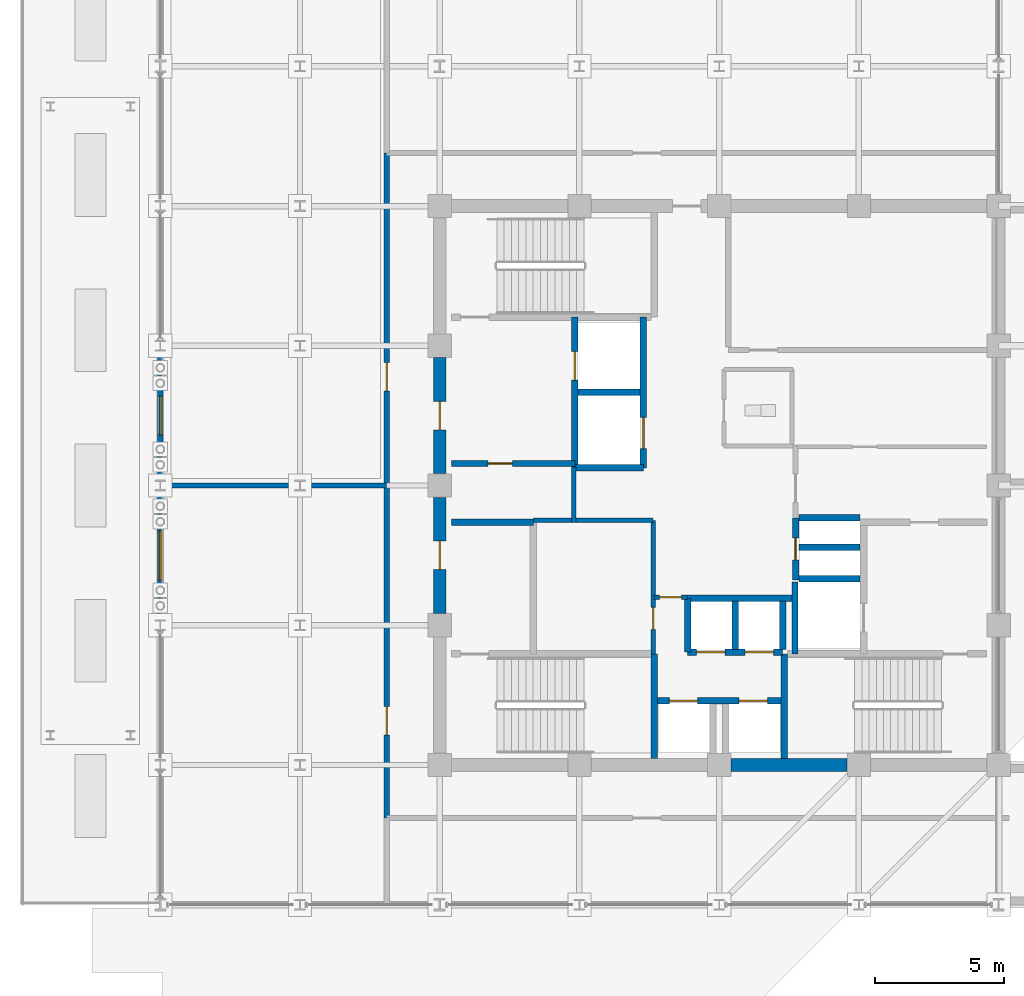
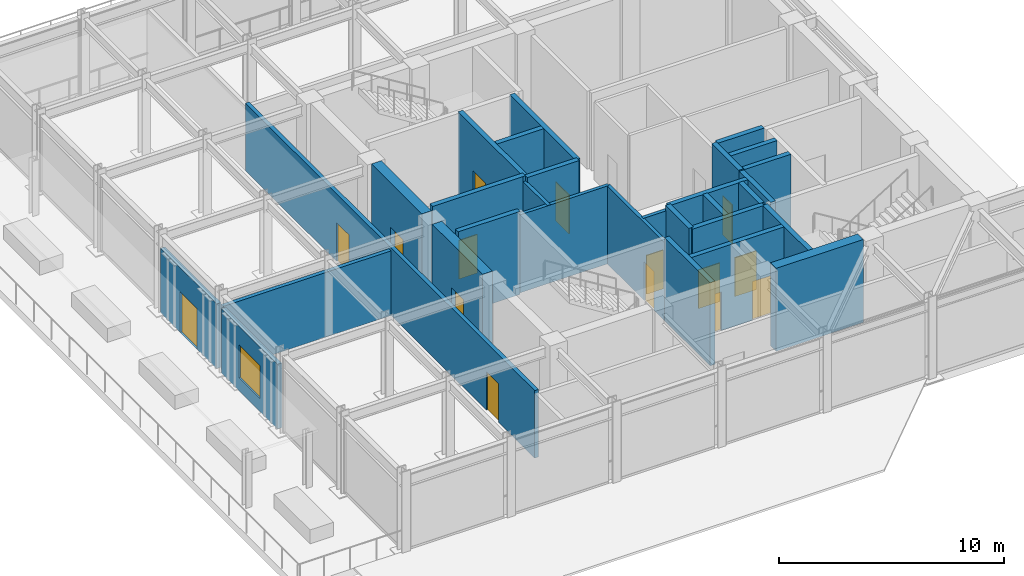
# One storey, part 14 of 22: 30 walls, 15 doors, 1 window, 16 openings.
"""IFC4 building model written with IfcOpenShell, lengths in metres."""

from ifc_helpers import new_model, si_unit, direction, frame, frame_2d, origin, place, context, subcontext, project, spatial, rectangle, extrude, material, layer, layer_set, type_object, element, fill, save


model = new_model("IFC4")

# Units and contexts
model_context = context("Model", 3, precision=1e-05, world=origin(), true_north=direction((0.0, 1.0)))
body_context = subcontext(model_context, "Body", "Model", "MODEL_VIEW")
ifc_project = project(units=[si_unit("LENGTHUNIT", "METRE"), si_unit("AREAUNIT", "SQUARE_METRE"), si_unit("VOLUMEUNIT", "CUBIC_METRE"), si_unit("PLANEANGLEUNIT", "RADIAN"), si_unit("MASSUNIT", "GRAM", prefix="KILO")], contexts=[model_context])

# Site, building, storey
site_placement = place(None, origin())
site = spatial("IfcSite", under=ifc_project, at=site_placement, CompositionType="ELEMENT")
building_placement = place(site_placement, origin())
building = spatial("IfcBuilding", under=site, at=building_placement, Name="Surkhivell Harbour Commons", CompositionType="ELEMENT")
storey_placement = place(building_placement, frame((0.0, 0.0, 337.5)))
storey = spatial("IfcBuildingStorey", under=building, at=storey_placement, Name="L88", CompositionType="ELEMENT", Elevation=337.5)

# Wall, opening, door
ifc_material_1 = material(Name="Concrete C50/60", Category="concrete")
ifc_layer_1 = layer(ifc_material_1, 0.5)
ifc_layer_set_1 = layer_set([ifc_layer_1], Name="Concrete C50/60")
wall_type_1 = type_object("IfcWallType", Name="WAL-CORE-500", PredefinedType="SHEAR", material=ifc_layer_set_1)
wall_1_placement = place(storey_placement, frame((-10.800048828125, -4.93994140625, 0.0), z_axis=(0.0, 0.0, 1.0), x_axis=(0.0, 1.0, 0.0)))
wall_1 = element("IfcWall", 1, at=wall_1_placement, inside=storey, type_object=wall_type_1, Name="L88 Core Shear Wall West 2", PredefinedType="SHEAR", context=body_context, shape_type="SweptSolid", body=[
    extrude(rectangle(XDim=4.47998046875, YDim=0.5, at=frame_2d((2.239990234375, 0.0))), origin(), (0.0, 0.0, 1.0), 4.5),
])
opening_1_placement = place(wall_1_placement, frame((1.68994140625, 0.0, 0.0)))
opening_1 = element("IfcOpeningElement", 2, at=opening_1_placement, cuts=wall_1, Name="Opening ID-2", PredefinedType="OPENING", context=body_context, shape_type="SweptSolid", body=[
    extrude(rectangle(XDim=1.10009765625, YDim=2.10009765625, at=frame_2d((0.550048828125, 1.050048828125))), frame((0.0, 0.260009765625, 0.0), z_axis=(0.0, -1.0, 0.0), x_axis=(1.0, 0.0, 0.0)), (0.0, 0.0, 1.0), 0.52001953125),
])
ifc_material_2 = material(Name="Hardwood-veneered fire-rated door leaf", Category="wood")
door_type_1 = type_object("IfcDoorType", Name="DOR-FD60-1100", OperationType="NOTDEFINED", PredefinedType="DOOR", material=ifc_material_2)
door_1_placement = place(opening_1_placement, origin())
door_1 = element("IfcDoor", 3, at=door_1_placement, inside=storey, type_object=door_type_1, Name="L88 Stair 3 Lobby Corridor Door", OperationType="SINGLE_SWING_LEFT", OverallHeight=2.10009765625, OverallWidth=1.10009765625, PredefinedType="DOOR", context=body_context, shape_type="SweptSolid", body=[
    extrude(rectangle(XDim=1.10009765625, YDim=2.10009765625, at=frame_2d((0.550048828125, 1.050048828125))), frame((0.0, 0.02490234375, 0.0), z_axis=(0.0, -1.0, 0.0), x_axis=(1.0, 0.0, 0.0)), (0.0, 0.0, 1.0), 0.050048828125),
])
fill(opening_1, door_1)

# Wall
wall_2_placement = place(storey_placement, frame((0.4599609375, -10.800048828125, 0.0), z_axis=(0.0, 0.0, 1.0), x_axis=(1.0, 0.0, 0.0)))
element("IfcWall", 4, at=wall_2_placement, inside=storey, type_object=wall_type_1, Name="L88 Core Shear Wall South 3", PredefinedType="SHEAR", context=body_context, shape_type="SweptSolid", body=[
    extrude(rectangle(XDim=4.47998046875, YDim=0.5, at=frame_2d((2.239990234375, 0.0))), origin(), (0.0, 0.0, 1.0), 4.5),
])

# Wall, opening, door
wall_3_placement = place(storey_placement, frame((-10.800048828125, 0.4599609375, 0.0), z_axis=(0.0, 0.0, 1.0), x_axis=(0.0, 1.0, 0.0)))
wall_3 = element("IfcWall", 5, at=wall_3_placement, inside=storey, type_object=wall_type_1, Name="L88 Core Shear Wall West 3", PredefinedType="SHEAR", context=body_context, shape_type="SweptSolid", body=[
    extrude(rectangle(XDim=4.47998046875, YDim=0.5, at=frame_2d((2.239990234375, 0.0))), origin(), (0.0, 0.0, 1.0), 4.5),
])
opening_2_placement = place(wall_3_placement, frame((1.68994140625, 0.0, 0.0)))
opening_2 = element("IfcOpeningElement", 6, at=opening_2_placement, cuts=wall_3, Name="Opening ID-1", PredefinedType="OPENING", context=body_context, shape_type="SweptSolid", body=[
    extrude(rectangle(XDim=1.10009765625, YDim=2.10009765625, at=frame_2d((0.550048828125, 1.050048828125))), frame((0.0, 0.260009765625, 0.0), z_axis=(0.0, -1.0, 0.0), x_axis=(1.0, 0.0, 0.0)), (0.0, 0.0, 1.0), 0.52001953125),
])
door_type_2 = type_object("IfcDoorType", Name="DOR-FD120-1100", OperationType="NOTDEFINED", PredefinedType="DOOR", material=ifc_material_2)
door_2_placement = place(opening_2_placement, origin())
door_2 = element("IfcDoor", 7, at=door_2_placement, inside=storey, type_object=door_type_2, Name="L88 Firefighting Lobby 1 Corridor Door", OperationType="SINGLE_SWING_LEFT", OverallHeight=2.10009765625, OverallWidth=1.10009765625, PredefinedType="DOOR", context=body_context, shape_type="SweptSolid", body=[
    extrude(rectangle(XDim=1.10009765625, YDim=2.10009765625, at=frame_2d((0.550048828125, 1.050048828125))), frame((0.0, 0.02490234375, 0.0), z_axis=(0.0, -1.0, 0.0), x_axis=(1.0, 0.0, 0.0)), (0.0, 0.0, 1.0), 0.050048828125),
])
fill(opening_2, door_2)

ifc_material_3 = material(Name="Conservatory pale-metal insulated concrete C45/55", Category="concrete")
ifc_layer_2 = layer(ifc_material_3, 0.22509765625)
ifc_layer_set_2 = layer_set([ifc_layer_2], Name="Conservatory pale-metal insulated concrete C45/55")
wall_type_2 = type_object("IfcWallType", Name="WAL-EXT-CRN225", PredefinedType="STANDARD", material=ifc_layer_set_2)
wall_4_placement = place(storey_placement, frame((-21.60009765625, 0.2080078125, 0.0), z_axis=(0.0, 0.0, 1.0), x_axis=(0.0, 1.0, 0.0)))
wall_4 = element("IfcWall", 8, at=wall_4_placement, inside=storey, type_object=wall_type_2, Name="L88 Sky-Garden Terrace Access Wall 1", PredefinedType="STANDARD", context=body_context, shape_type="SweptSolid", body=[
    extrude(rectangle(XDim=4.98388671875, YDim=0.22509765625, at=frame_2d((2.491943359375, 0.0))), origin(), (0.0, 0.0, 1.0), 3.507080078125),
])
opening_3_placement = place(wall_4_placement, frame((1.741943359375, 0.0, 0.0)))
opening_3 = element("IfcOpeningElement", 9, at=opening_3_placement, cuts=wall_4, Name="Opening ED-4", PredefinedType="OPENING", context=body_context, shape_type="SweptSolid", body=[
    extrude(rectangle(XDim=1.5, YDim=2.199951171875, at=frame_2d((0.75, 1.10009765625))), frame((0.0, 0.12255859375, 0.0), z_axis=(0.0, -1.0, 0.0), x_axis=(1.0, 0.0, 0.0)), (0.0, 0.0, 1.0), 0.2451171875),
])
ifc_material_4 = material(Name="Anodised pale-metal aluminium and laminated safety glass", Category="aluminium")
door_type_3 = type_object("IfcDoorType", Name="DOR-EXT-TERR1500", OperationType="DOUBLE_DOOR_SINGLE_SWING", PredefinedType="DOOR", material=ifc_material_4)
door_3_placement = place(opening_3_placement, origin())
door_3 = element("IfcDoor", 10, at=door_3_placement, inside=storey, type_object=door_type_3, Name="L88 Crown Sky-Garden Terrace Door 1", OperationType="DOUBLE_DOOR_SINGLE_SWING", OverallHeight=2.199951171875, OverallWidth=1.5, PredefinedType="DOOR", context=body_context, shape_type="SweptSolid", body=[
    extrude(rectangle(XDim=1.5, YDim=2.199951171875, at=frame_2d((0.75, 1.10009765625))), frame((0.0, 0.02490234375, 0.0), z_axis=(0.0, -1.0, 0.0), x_axis=(1.0, 0.0, 0.0)), (0.0, 0.0, 1.0), 0.050048828125),
])
fill(opening_3, door_3)

# Wall, opening, window
wall_5_placement = place(storey_placement, frame((-21.60009765625, -5.19189453125, 0.0), z_axis=(0.0, 0.0, 1.0), x_axis=(0.0, 1.0, 0.0)))
wall_5 = element("IfcWall", 11, at=wall_5_placement, inside=storey, type_object=wall_type_2, Name="L88 Sky-Garden Terrace Access Wall 2", PredefinedType="STANDARD", context=body_context, shape_type="SweptSolid", body=[
    extrude(rectangle(XDim=4.98388671875, YDim=0.22509765625, at=frame_2d((2.491943359375, 0.0))), origin(), (0.0, 0.0, 1.0), 3.507080078125),
])
opening_4_placement = place(wall_5_placement, frame((1.5419921875, 0.0, 0.699951171875)))
opening_4 = element("IfcOpeningElement", 12, at=opening_4_placement, cuts=wall_5, Name="Opening WN-12", PredefinedType="OPENING", context=body_context, shape_type="SweptSolid", body=[
    extrude(rectangle(XDim=1.89990234375, YDim=1.800048828125, at=frame_2d((0.949951171875, 0.89990234375))), frame((0.0, 0.12255859375, 0.0), z_axis=(0.0, -1.0, 0.0), x_axis=(1.0, 0.0, 0.0)), (0.0, 0.0, 1.0), 0.2451171875),
])
ifc_material_5 = material(Name="Thermal-break aluminium frame and double low-E glazing", Category="aluminium")
window_type = type_object("IfcWindowType", Name="WIN-CRN-1900x1800", PartitioningType="DOUBLE_PANEL_VERTICAL", PredefinedType="WINDOW", material=ifc_material_5)
window_placement = place(opening_4_placement, origin())
window = element("IfcWindow", 13, at=window_placement, inside=storey, type_object=window_type, Name="L88 Conservatory West Window", OverallHeight=1.800048828125, OverallWidth=1.89990234375, PartitioningType="SINGLE_PANEL", PredefinedType="WINDOW", context=body_context, shape_type="SweptSolid", body=[
    extrude(rectangle(XDim=1.89990234375, YDim=1.800048828125, at=frame_2d((0.949951171875, 0.89990234375))), frame((0.0, 0.030029296875, 0.0), z_axis=(0.0, -1.0, 0.0), x_axis=(1.0, 0.0, 0.0)), (0.0, 0.0, 1.0), 0.06005859375),
])
fill(opening_4, window)

# Wall, opening, door
ifc_material_6 = material(Name="High-density acoustic blockwork fire partition", Category="masonry")
ifc_layer_3 = layer(ifc_material_6, 0.175048828125)
ifc_layer_set_3 = layer_set([ifc_layer_3], Name="High-density acoustic blockwork fire partition")
wall_type_3 = type_object("IfcWallType", Name="WAL-INT-175", PredefinedType="PARTITIONING", material=ifc_layer_set_3)
wall_6_placement = place(storey_placement, frame((-2.550048828125, -6.510009765625, 0.0), z_axis=(0.0, 0.0, 1.0), x_axis=(0.0, 1.0, 0.0)))
wall_6 = element("IfcWall", 14, at=wall_6_placement, inside=storey, type_object=wall_type_3, Name="L88 Core Service Bay East Wall", PredefinedType="PARTITIONING", context=body_context, shape_type="SweptSolid", body=[
    extrude(rectangle(XDim=5.159912109375, YDim=0.175048828125, at=frame_2d((2.580078125, 0.0))), origin(), (0.0, 0.0, 1.0), 4.219970703125),
])
opening_5_placement = place(wall_6_placement, frame((0.949951171875, 0.0, 0.0)))
opening_5 = element("IfcOpeningElement", 15, at=opening_5_placement, cuts=wall_6, Name="Opening ID-6", PredefinedType="OPENING", context=body_context, shape_type="SweptSolid", body=[
    extrude(rectangle(XDim=0.85009765625, YDim=2.10009765625, at=frame_2d((0.425048828125, 1.050048828125))), frame((0.0, 0.097412109375, 0.0), z_axis=(0.0, -1.0, 0.0), x_axis=(1.0, 0.0, 0.0)), (0.0, 0.0, 1.0), 0.195068359375),
])
door_type_4 = type_object("IfcDoorType", Name="DOR-FD30-850", OperationType="NOTDEFINED", PredefinedType="DOOR", material=ifc_material_2)
door_4_placement = place(opening_5_placement, origin())
door_4 = element("IfcDoor", 16, at=door_4_placement, inside=storey, type_object=door_type_4, Name="L88 Core Metering Door", OperationType="SINGLE_SWING_LEFT", OverallHeight=2.10009765625, OverallWidth=0.85009765625, PredefinedType="DOOR", context=body_context, shape_type="SweptSolid", body=[
    extrude(rectangle(XDim=0.85009765625, YDim=2.10009765625, at=frame_2d((0.425048828125, 1.050048828125))), frame((0.0, 0.02490234375, 0.0), z_axis=(0.0, -1.0, 0.0), x_axis=(1.0, 0.0, 0.0)), (0.0, 0.0, 1.0), 0.050048828125),
])
fill(opening_5, door_4)

# Walls
wall_7_placement = place(storey_placement, frame((-7.179931640625, -1.35009765625, 0.0), z_axis=(0.0, 0.0, 1.0), x_axis=(1.0, 0.0, 0.0)))
element("IfcWall", 17, at=wall_7_placement, inside=storey, type_object=wall_type_3, Name="L88 Core Service Bay North Wall", PredefinedType="PARTITIONING", context=body_context, shape_type="SweptSolid", body=[
    extrude(rectangle(XDim=4.6298828125, YDim=0.175048828125, at=frame_2d((2.31494140625, 0.0))), origin(), (0.0, 0.0, 1.0), 4.219970703125),
])
wall_8_placement = place(storey_placement, frame((-5.6201171875, -1.419921875, 0.0), z_axis=(0.0, 0.0, 1.0), x_axis=(0.0, 1.0, 0.0)))
element("IfcWall", 18, at=wall_8_placement, inside=storey, type_object=wall_type_3, Name="L88 West Core Bay East Wall", PredefinedType="PARTITIONING", context=body_context, shape_type="SweptSolid", body=[
    extrude(rectangle(XDim=2.139892578125, YDim=0.175048828125, at=frame_2d((1.06982421875, 0.0))), origin(), (0.0, 0.0, 1.0), 4.219970703125),
])

# Wall, opening, door
wall_9_placement = place(storey_placement, frame((-2.52001953125, -4.320068359375, 0.0), z_axis=(0.0, 0.0, 1.0), x_axis=(1.0, 0.0, 0.0)))
wall_9 = element("IfcWall", 19, at=wall_9_placement, inside=storey, type_object=wall_type_3, Name="L88 High-Rise Lobby North Portal Wall", PredefinedType="PARTITIONING", context=body_context, shape_type="SweptSolid", body=[
    extrude(rectangle(XDim=1.300048828125, YDim=0.175048828125, at=frame_2d((0.64990234375, 0.0))), origin(), (0.0, 0.0, 1.0), 4.219970703125),
])
opening_6_placement = place(wall_9_placement, frame((0.219970703125, 0.0, 0.0)))
opening_6 = element("IfcOpeningElement", 20, at=opening_6_placement, cuts=wall_9, Name="Opening ID-6", PredefinedType="OPENING", context=body_context, shape_type="SweptSolid", body=[
    extrude(rectangle(XDim=0.85009765625, YDim=2.10009765625, at=frame_2d((0.425048828125, 1.050048828125))), frame((0.0, 0.097412109375, 0.0), z_axis=(0.0, -1.0, 0.0), x_axis=(1.0, 0.0, 0.0)), (0.0, 0.0, 1.0), 0.195068359375),
])
door_5_placement = place(opening_6_placement, origin())
door_5 = element("IfcDoor", 21, at=door_5_placement, inside=storey, type_object=door_type_4, Name="L88 High-Rise Lift Lobby North Door", OperationType="SINGLE_SWING_LEFT", OverallHeight=2.10009765625, OverallWidth=0.85009765625, PredefinedType="DOOR", context=body_context, shape_type="SweptSolid", body=[
    extrude(rectangle(XDim=0.85009765625, YDim=2.10009765625, at=frame_2d((0.425048828125, 1.050048828125))), frame((0.0, 0.02490234375, 0.0), z_axis=(0.0, -1.0, 0.0), x_axis=(1.0, 0.0, 0.0)), (0.0, 0.0, 1.0), 0.050048828125),
])
fill(opening_6, door_5)

# Wall
ifc_material_7 = material(Name="Autoclaved aerated concrete blockwork and fire plaster", Category="masonry")
ifc_layer_4 = layer(ifc_material_7, 0.199951171875)
ifc_layer_set_4 = layer_set([ifc_layer_4], Name="Autoclaved aerated concrete blockwork and fire plaster")
wall_type_4 = type_object("IfcWallType", Name="WAL-INT-200", PredefinedType="PARTITIONING", material=ifc_layer_set_4)
wall_10_placement = place(storey_placement, frame((-21.56005859375, 0.0, 0.0), z_axis=(0.0, 0.0, 1.0), x_axis=(1.0, 0.0, 0.0)))
element("IfcWall", 22, at=wall_10_placement, inside=storey, type_object=wall_type_4, Name="L88 Conservatory West Divider", PredefinedType="PARTITIONING", context=body_context, shape_type="SweptSolid", body=[
    extrude(rectangle(XDim=8.7099609375, YDim=0.199951171875, at=frame_2d((4.35498046875, 0.0))), origin(), (0.0, 0.0, 1.0), 3.507080078125),
])

# Wall, openings, doors
wall_11_placement = place(storey_placement, frame((-12.85009765625, -12.85009765625, 0.0), z_axis=(0.0, 0.0, 1.0), x_axis=(0.0, 1.0, 0.0)))
wall_11 = element("IfcWall", 23, at=wall_11_placement, inside=storey, type_object=wall_type_4, Name="L88 Crown Corridor West Wall", PredefinedType="PARTITIONING", context=body_context, shape_type="SweptSolid", body=[
    extrude(rectangle(XDim=25.7001953125, YDim=0.199951171875, at=frame_2d((12.85009765625, 0.0))), origin(), (0.0, 0.0, 1.0), 3.6630859375),
])
opening_7_placement = place(wall_11_placement, frame((16.5, 0.0, 0.0)))
opening_7 = element("IfcOpeningElement", 24, at=opening_7_placement, cuts=wall_11, Name="Opening ID-2", PredefinedType="OPENING", context=body_context, shape_type="SweptSolid", body=[
    extrude(rectangle(XDim=1.10009765625, YDim=2.10009765625, at=frame_2d((0.550048828125, 1.050048828125))), frame((0.0, 0.10986328125, 0.0), z_axis=(0.0, -1.0, 0.0), x_axis=(1.0, 0.0, 0.0)), (0.0, 0.0, 1.0), 0.219970703125),
])
opening_8_placement = place(wall_11_placement, frame((3.199951171875, 0.0, 0.0)))
opening_8 = element("IfcOpeningElement", 25, at=opening_8_placement, cuts=wall_11, Name="Opening ID-2", PredefinedType="OPENING", context=body_context, shape_type="SweptSolid", body=[
    extrude(rectangle(XDim=1.10009765625, YDim=2.10009765625, at=frame_2d((0.550048828125, 1.050048828125))), frame((0.0, 0.10986328125, 0.0), z_axis=(0.0, -1.0, 0.0), x_axis=(1.0, 0.0, 0.0)), (0.0, 0.0, 1.0), 0.219970703125),
])
door_6_placement = place(opening_7_placement, origin())
door_6 = element("IfcDoor", 26, at=door_6_placement, inside=storey, type_object=door_type_1, Name="L88 Sky-Garden Tea Pavilion and Conservatory Door", OperationType="SINGLE_SWING_RIGHT", OverallHeight=2.10009765625, OverallWidth=1.10009765625, PredefinedType="DOOR", context=body_context, shape_type="SweptSolid", body=[
    extrude(rectangle(XDim=1.10009765625, YDim=2.10009765625, at=frame_2d((0.550048828125, 1.050048828125))), frame((0.0, 0.02490234375, 0.0), z_axis=(0.0, -1.0, 0.0), x_axis=(1.0, 0.0, 0.0)), (0.0, 0.0, 1.0), 0.050048828125),
])
fill(opening_7, door_6)
door_7_placement = place(opening_8_placement, origin())
door_7 = element("IfcDoor", 27, at=door_7_placement, inside=storey, type_object=door_type_1, Name="L88 Crown Irrigation and Booster Pump Plant Room Door", OperationType="SINGLE_SWING_LEFT", OverallHeight=2.10009765625, OverallWidth=1.10009765625, PredefinedType="DOOR", context=body_context, shape_type="SweptSolid", body=[
    extrude(rectangle(XDim=1.10009765625, YDim=2.10009765625, at=frame_2d((0.550048828125, 1.050048828125))), frame((0.0, 0.02490234375, 0.0), z_axis=(0.0, -1.0, 0.0), x_axis=(1.0, 0.0, 0.0)), (0.0, 0.0, 1.0), 0.050048828125),
])
fill(opening_8, door_7)

# Wall, opening, door
ifc_layer_5 = layer(ifc_material_1, 0.25)
ifc_layer_set_5 = layer_set([ifc_layer_5], Name="Concrete C50/60")
wall_type_5 = type_object("IfcWallType", Name="WAL-SHAFT-250", PredefinedType="SHEAR", material=ifc_layer_set_5)
wall_12_placement = place(storey_placement, frame((-5.580078125, 0.719970703125, 0.0), z_axis=(0.0, 0.0, 1.0), x_axis=(0.0, 1.0, 0.0)))
wall_12 = element("IfcWall", 28, at=wall_12_placement, inside=storey, type_object=wall_type_5, Name="L88 Firefighting Lobby 1 East Shaft Wall", PredefinedType="SHEAR", context=body_context, shape_type="SweptSolid", body=[
    extrude(rectangle(XDim=5.7900390625, YDim=0.25, at=frame_2d((2.89501953125, 0.0))), origin(), (0.0, 0.0, 1.0), 4.5),
])
opening_9_placement = place(wall_12_placement, frame((3.35009765625, 0.0, 0.0)))
opening_9 = element("IfcOpeningElement", 29, at=opening_9_placement, cuts=wall_12, Name="Opening LD-1", PredefinedType="OPENING", context=body_context, shape_type="SweptSolid", body=[
    extrude(rectangle(XDim=1.10009765625, YDim=2.10009765625, at=frame_2d((0.550048828125, 1.050048828125))), frame((0.0, 0.135009765625, 0.0), z_axis=(0.0, -1.0, 0.0), x_axis=(1.0, 0.0, 0.0)), (0.0, 0.0, 1.0), 0.27001953125),
])
ifc_material_8 = material(Name="Brushed stainless steel S355", Category="steel")
door_type_5 = type_object("IfcDoorType", Name="DOR-LD-1100", OperationType="SLIDING_TO_LEFT", PredefinedType="DOOR", material=ifc_material_8)
door_8_placement = place(opening_9_placement, origin())
door_8 = element("IfcDoor", 30, at=door_8_placement, inside=storey, type_object=door_type_5, Name="L88 Lift Landing Door LD-FFL1", OperationType="SLIDING_TO_LEFT", OverallHeight=2.10009765625, OverallWidth=1.10009765625, PredefinedType="DOOR", context=body_context, shape_type="SweptSolid", body=[
    extrude(rectangle(XDim=1.10009765625, YDim=2.10009765625, at=frame_2d((0.550048828125, 1.050048828125))), frame((0.0, 0.02490234375, 0.0), z_axis=(0.0, -1.0, 0.0), x_axis=(1.0, 0.0, 0.0)), (0.0, 0.0, 1.0), 0.050048828125),
])
fill(opening_9, door_8)

wall_13_placement = place(storey_placement, frame((-10.340087890625, 0.85009765625, 0.0), z_axis=(0.0, 0.0, 1.0), x_axis=(1.0, 0.0, 0.0)))
wall_13 = element("IfcWall", 31, at=wall_13_placement, inside=storey, type_object=wall_type_5, Name="L88 Firefighting Lobby 1 South Wall", PredefinedType="SHEAR", context=body_context, shape_type="SweptSolid", body=[
    extrude(rectangle(XDim=4.760009765625, YDim=0.25, at=frame_2d((2.3798828125, 0.0))), origin(), (0.0, 0.0, 1.0), 4.5),
])
opening_10_placement = place(wall_13_placement, frame((1.39990234375, 0.0, 0.0)))
opening_10 = element("IfcOpeningElement", 32, at=opening_10_placement, cuts=wall_13, Name="Opening ID-4", PredefinedType="OPENING", context=body_context, shape_type="SweptSolid", body=[
    extrude(rectangle(XDim=0.949951171875, YDim=2.10009765625, at=frame_2d((0.47509765625, 1.050048828125))), frame((0.0, 0.135009765625, 0.0), z_axis=(0.0, -1.0, 0.0), x_axis=(1.0, 0.0, 0.0)), (0.0, 0.0, 1.0), 0.27001953125),
])
door_type_6 = type_object("IfcDoorType", Name="DOR-FD60-950", OperationType="NOTDEFINED", PredefinedType="DOOR", material=ifc_material_2)
door_9_placement = place(opening_10_placement, origin())
door_9 = element("IfcDoor", 33, at=door_9_placement, inside=storey, type_object=door_type_6, Name="L88 Core BMS Room Door", OperationType="SINGLE_SWING_RIGHT", OverallHeight=2.10009765625, OverallWidth=0.949951171875, PredefinedType="DOOR", context=body_context, shape_type="SweptSolid", body=[
    extrude(rectangle(XDim=0.949951171875, YDim=2.10009765625, at=frame_2d((0.47509765625, 1.050048828125))), frame((0.0, 0.02490234375, 0.0), z_axis=(0.0, -1.0, 0.0), x_axis=(1.0, 0.0, 0.0)), (0.0, 0.0, 1.0), 0.050048828125),
])
fill(opening_10, door_9)

# Walls
wall_14_placement = place(storey_placement, frame((2.929931640625, -6.510009765625, 0.0), z_axis=(0.0, 0.0, 1.0), x_axis=(0.0, 1.0, 0.0)))
element("IfcWall", 34, at=wall_14_placement, inside=storey, type_object=wall_type_5, Name="L88 FFL2 West Shaft Wall", PredefinedType="SHEAR", context=body_context, shape_type="SweptSolid", body=[
    extrude(rectangle(XDim=2.7900390625, YDim=0.25, at=frame_2d((1.39501953125, 0.0))), origin(), (0.0, 0.0, 1.0), 4.5),
])
wall_15_placement = place(storey_placement, frame((3.080078125, -3.60009765625, 0.0), z_axis=(0.0, 0.0, 1.0), x_axis=(1.0, 0.0, 0.0)))
element("IfcWall", 35, at=wall_15_placement, inside=storey, type_object=wall_type_5, Name="L88 FFL2 North Shaft Wall", PredefinedType="SHEAR", context=body_context, shape_type="SweptSolid", body=[
    extrude(rectangle(XDim=2.369873046875, YDim=0.25, at=frame_2d((1.18505859375, 0.0))), origin(), (0.0, 0.0, 1.0), 4.5),
])
for number, where, z_axis, x_axis, name in (
    (36, (0.6201171875, -6.340087890625, 0.0), (0.0, 0.0, 1.0), (0.0, 1.0, 0.0), "L88 High-Rise Side Wall N"),
    (37, (2.449951171875, -6.340087890625, 0.0), (0.0, 0.0, 1.0), (0.0, 1.0, 0.0), "L88 High-Rise Side Wall N"),
):
    element("IfcWall", number, at=place(storey_placement, frame(where, z_axis=z_axis, x_axis=x_axis)), inside=storey, type_object=wall_type_5, Name=name, PredefinedType="SHEAR", context=body_context, shape_type="SweptSolid", body=[
        extrude(rectangle(XDim=1.880126953125, YDim=0.25, at=frame_2d((0.93994140625, 0.0))), origin(), (0.0, 0.0, 1.0), 4.5),
    ])
wall_16_placement = place(storey_placement, frame((-1.219970703125, -6.43994140625, 0.0), z_axis=(0.0, 0.0, 1.0), x_axis=(0.0, 1.0, 0.0)))
element("IfcWall", 38, at=wall_16_placement, inside=storey, type_object=wall_type_5, Name="L88 High-Rise Passage East Shaft Wall", PredefinedType="SHEAR", context=body_context, shape_type="SweptSolid", body=[
    extrude(rectangle(XDim=2.079833984375, YDim=0.25, at=frame_2d((1.0400390625, 0.0))), origin(), (0.0, 0.0, 1.0), 4.5),
])

# Wall, openings, doors
wall_17_placement = place(storey_placement, frame((-1.219970703125, -6.43994140625, 0.0), z_axis=(0.0, 0.0, 1.0), x_axis=(1.0, 0.0, 0.0)))
wall_17 = element("IfcWall", 39, at=wall_17_placement, inside=storey, type_object=wall_type_5, Name="L88 High-Rise North Front Shaft Wall", PredefinedType="SHEAR", context=body_context, shape_type="SweptSolid", body=[
    extrude(rectangle(XDim=3.669921875, YDim=0.25, at=frame_2d((1.8349609375, 0.0))), origin(), (0.0, 0.0, 1.0), 4.5),
])
opening_11_placement = place(wall_17_placement, frame((0.35009765625, 0.0, 0.0)))
opening_11 = element("IfcOpeningElement", 40, at=opening_11_placement, cuts=wall_17, Name="Opening LD-1", PredefinedType="OPENING", context=body_context, shape_type="SweptSolid", body=[
    extrude(rectangle(XDim=1.10009765625, YDim=2.10009765625, at=frame_2d((0.550048828125, 1.050048828125))), frame((0.0, 0.135009765625, 0.0), z_axis=(0.0, -1.0, 0.0), x_axis=(1.0, 0.0, 0.0)), (0.0, 0.0, 1.0), 0.27001953125),
])
opening_12_placement = place(wall_17_placement, frame((2.219970703125, 0.0, 0.0)))
opening_12 = element("IfcOpeningElement", 41, at=opening_12_placement, cuts=wall_17, Name="Opening LD-1", PredefinedType="OPENING", context=body_context, shape_type="SweptSolid", body=[
    extrude(rectangle(XDim=1.10009765625, YDim=2.10009765625, at=frame_2d((0.550048828125, 1.050048828125))), frame((0.0, 0.135009765625, 0.0), z_axis=(0.0, -1.0, 0.0), x_axis=(1.0, 0.0, 0.0)), (0.0, 0.0, 1.0), 0.27001953125),
])
door_10_placement = place(opening_11_placement, origin())
door_10 = element("IfcDoor", 42, at=door_10_placement, inside=storey, type_object=door_type_5, Name="L88 Lift Landing Door LD-PH1", OperationType="SLIDING_TO_LEFT", OverallHeight=2.10009765625, OverallWidth=1.10009765625, PredefinedType="DOOR", context=body_context, shape_type="SweptSolid", body=[
    extrude(rectangle(XDim=1.10009765625, YDim=2.10009765625, at=frame_2d((0.550048828125, 1.050048828125))), frame((0.0, 0.02490234375, 0.0), z_axis=(0.0, -1.0, 0.0), x_axis=(1.0, 0.0, 0.0)), (0.0, 0.0, 1.0), 0.050048828125),
])
fill(opening_11, door_10)
door_11_placement = place(opening_12_placement, origin())
door_11 = element("IfcDoor", 43, at=door_11_placement, inside=storey, type_object=door_type_5, Name="L88 Lift Landing Door LD-PH2", OperationType="SLIDING_TO_LEFT", OverallHeight=2.10009765625, OverallWidth=1.10009765625, PredefinedType="DOOR", context=body_context, shape_type="SweptSolid", body=[
    extrude(rectangle(XDim=1.10009765625, YDim=2.10009765625, at=frame_2d((0.550048828125, 1.050048828125))), frame((0.0, 0.02490234375, 0.0), z_axis=(0.0, -1.0, 0.0), x_axis=(1.0, 0.0, 0.0)), (0.0, 0.0, 1.0), 0.050048828125),
])
fill(opening_12, door_11)

wall_18_placement = place(storey_placement, frame((-2.47998046875, -8.320068359375, 0.0), z_axis=(0.0, 0.0, 1.0), x_axis=(1.0, 0.0, 0.0)))
wall_18 = element("IfcWall", 44, at=wall_18_placement, inside=storey, type_object=wall_type_5, Name="L88 High-Rise South Front Shaft Wall", PredefinedType="SHEAR", context=body_context, shape_type="SweptSolid", body=[
    extrude(rectangle(XDim=4.929931640625, YDim=0.25, at=frame_2d((2.46484375, 0.0))), origin(), (0.0, 0.0, 1.0), 4.5),
])
opening_13_placement = place(wall_18_placement, frame((0.550048828125, 0.0, 0.0)))
opening_13 = element("IfcOpeningElement", 45, at=opening_13_placement, cuts=wall_18, Name="Opening LD-1", PredefinedType="OPENING", context=body_context, shape_type="SweptSolid", body=[
    extrude(rectangle(XDim=1.10009765625, YDim=2.10009765625, at=frame_2d((0.550048828125, 1.050048828125))), frame((0.0, 0.135009765625, 0.0), z_axis=(0.0, -1.0, 0.0), x_axis=(1.0, 0.0, 0.0)), (0.0, 0.0, 1.0), 0.27001953125),
])
opening_14_placement = place(wall_18_placement, frame((3.25, 0.0, 0.0)))
opening_14 = element("IfcOpeningElement", 46, at=opening_14_placement, cuts=wall_18, Name="Opening LD-1", PredefinedType="OPENING", context=body_context, shape_type="SweptSolid", body=[
    extrude(rectangle(XDim=1.10009765625, YDim=2.10009765625, at=frame_2d((0.550048828125, 1.050048828125))), frame((0.0, 0.135009765625, 0.0), z_axis=(0.0, -1.0, 0.0), x_axis=(1.0, 0.0, 0.0)), (0.0, 0.0, 1.0), 0.27001953125),
])
door_12_placement = place(opening_13_placement, origin())
door_12 = element("IfcDoor", 47, at=door_12_placement, inside=storey, type_object=door_type_5, Name="L88 Lift Landing Door LD-PH3", OperationType="SLIDING_TO_LEFT", OverallHeight=2.10009765625, OverallWidth=1.10009765625, PredefinedType="DOOR", context=body_context, shape_type="SweptSolid", body=[
    extrude(rectangle(XDim=1.10009765625, YDim=2.10009765625, at=frame_2d((0.550048828125, 1.050048828125))), frame((0.0, 0.02490234375, 0.0), z_axis=(0.0, -1.0, 0.0), x_axis=(1.0, 0.0, 0.0)), (0.0, 0.0, 1.0), 0.050048828125),
])
fill(opening_13, door_12)
door_13_placement = place(opening_14_placement, origin())
door_13 = element("IfcDoor", 48, at=door_13_placement, inside=storey, type_object=door_type_5, Name="L88 Lift Landing Door LD-PH4", OperationType="SLIDING_TO_LEFT", OverallHeight=2.10009765625, OverallWidth=1.10009765625, PredefinedType="DOOR", context=body_context, shape_type="SweptSolid", body=[
    extrude(rectangle(XDim=1.10009765625, YDim=2.10009765625, at=frame_2d((0.550048828125, 1.050048828125))), frame((0.0, 0.02490234375, 0.0), z_axis=(0.0, -1.0, 0.0), x_axis=(1.0, 0.0, 0.0)), (0.0, 0.0, 1.0), 0.050048828125),
])
fill(opening_14, door_13)

# Walls
wall_19_placement = place(storey_placement, frame((-1.219970703125, -4.360107421875, 0.0), z_axis=(0.0, 0.0, 1.0), x_axis=(1.0, 0.0, 0.0)))
element("IfcWall", 49, at=wall_19_placement, inside=storey, type_object=wall_type_5, Name="L88 High-Rise North Back Shaft Wall", PredefinedType="SHEAR", context=body_context, shape_type="SweptSolid", body=[
    extrude(rectangle(XDim=4.030029296875, YDim=0.25, at=frame_2d((2.01513671875, 0.0))), origin(), (0.0, 0.0, 1.0), 4.5),
])
for number, where, z_axis, x_axis, name in (
    (50, (3.080078125, -2.3798828125, 0.0), (0.0, 0.0, 1.0), (1.0, 0.0, 0.0), "L88 Riser Divider Wall"),
    (51, (3.080078125, -1.25, 0.0), (0.0, 0.0, 1.0), (1.0, 0.0, 0.0), "L88 Riser North Wall"),
):
    element("IfcWall", number, at=place(storey_placement, frame(where, z_axis=z_axis, x_axis=x_axis)), inside=storey, type_object=wall_type_5, Name=name, PredefinedType="SHEAR", context=body_context, shape_type="SweptSolid", body=[
        extrude(rectangle(XDim=2.369873046875, YDim=0.25, at=frame_2d((1.18505859375, 0.0))), origin(), (0.0, 0.0, 1.0), 4.5),
    ])

# Wall, opening, door
wall_20_placement = place(storey_placement, frame((2.949951171875, -3.64990234375, 0.0), z_axis=(0.0, 0.0, 1.0), x_axis=(0.0, 1.0, 0.0)))
wall_20 = element("IfcWall", 52, at=wall_20_placement, inside=storey, type_object=wall_type_5, Name="L88 Riser Shaft West Wall", PredefinedType="SHEAR", context=body_context, shape_type="SweptSolid", body=[
    extrude(rectangle(XDim=2.39990234375, YDim=0.25, at=frame_2d((1.199951171875, 0.0))), origin(), (0.0, 0.0, 1.0), 4.5),
])
opening_15_placement = place(wall_20_placement, frame((0.77490234375, 0.0, 0.0)))
opening_15 = element("IfcOpeningElement", 53, at=opening_15_placement, cuts=wall_20, Name="Opening ID-6", PredefinedType="OPENING", context=body_context, shape_type="SweptSolid", body=[
    extrude(rectangle(XDim=0.85009765625, YDim=2.10009765625, at=frame_2d((0.425048828125, 1.050048828125))), frame((0.0, 0.135009765625, 0.0), z_axis=(0.0, -1.0, 0.0), x_axis=(1.0, 0.0, 0.0)), (0.0, 0.0, 1.0), 0.27001953125),
])
door_14_placement = place(opening_15_placement, origin())
door_14 = element("IfcDoor", 54, at=door_14_placement, inside=storey, type_object=door_type_4, Name="L88 Electrical Riser Access Door", OperationType="SINGLE_SWING_LEFT", OverallHeight=2.10009765625, OverallWidth=0.85009765625, PredefinedType="DOOR", context=body_context, shape_type="SweptSolid", body=[
    extrude(rectangle(XDim=0.85009765625, YDim=2.10009765625, at=frame_2d((0.425048828125, 1.050048828125))), frame((0.0, 0.02490234375, 0.0), z_axis=(0.0, -1.0, 0.0), x_axis=(1.0, 0.0, 0.0)), (0.0, 0.0, 1.0), 0.050048828125),
])
fill(opening_15, door_14)

# Walls
for number, where, z_axis, x_axis, name in (
    (55, (2.510009765625, -10.550048828125, 0.0), (0.0, 0.0, 1.0), (0.0, 1.0, 0.0), "L88 Stair ST2 West Shear Wall"),
    (56, (-2.510009765625, -10.550048828125, 0.0), (0.0, 0.0, 1.0), (0.0, 1.0, 0.0), "L88 Stair ST3 East Shear Wall"),
):
    element("IfcWall", number, at=place(storey_placement, frame(where, z_axis=z_axis, x_axis=x_axis)), inside=storey, type_object=wall_type_5, Name=name, PredefinedType="SHEAR", context=body_context, shape_type="SweptSolid", body=[
        extrude(rectangle(XDim=4.0400390625, YDim=0.25, at=frame_2d((2.02001953125, 0.0))), origin(), (0.0, 0.0, 1.0), 4.5),
    ])
wall_21_placement = place(storey_placement, frame((-10.340087890625, -1.419921875, 0.0), z_axis=(0.0, 0.0, 1.0), x_axis=(1.0, 0.0, 0.0)))
element("IfcWall", 57, at=wall_21_placement, inside=storey, type_object=wall_type_5, Name="L88 Stair 3 Lobby North Wall", PredefinedType="SHEAR", context=body_context, shape_type="SweptSolid", body=[
    extrude(rectangle(XDim=3.16015625, YDim=0.25, at=frame_2d((1.580078125, 0.0))), origin(), (0.0, 0.0, 1.0), 4.5),
])

# Wall, opening, door
wall_22_placement = place(storey_placement, frame((-2.929931640625, 0.679931640625, 0.0), z_axis=(0.0, 0.0, 1.0), x_axis=(0.0, 1.0, 0.0)))
wall_22 = element("IfcWall", 58, at=wall_22_placement, inside=storey, type_object=wall_type_5, Name="L88 Service and Fire Lift East Shaft Wall", PredefinedType="SHEAR", context=body_context, shape_type="SweptSolid", body=[
    extrude(rectangle(XDim=5.830078125, YDim=0.25, at=frame_2d((2.9150390625, 0.0))), origin(), (0.0, 0.0, 1.0), 4.5),
])
opening_16_placement = place(wall_22_placement, frame((0.75, 0.0, 0.0)))
opening_16 = element("IfcOpeningElement", 59, at=opening_16_placement, cuts=wall_22, Name="Opening LD-2", PredefinedType="OPENING", context=body_context, shape_type="SweptSolid", body=[
    extrude(rectangle(XDim=1.199951171875, YDim=2.10009765625, at=frame_2d((0.60009765625, 1.050048828125))), frame((0.0, 0.135009765625, 0.0), z_axis=(0.0, -1.0, 0.0), x_axis=(1.0, 0.0, 0.0)), (0.0, 0.0, 1.0), 0.27001953125),
])
door_type_7 = type_object("IfcDoorType", Name="DOR-LD-1200", OperationType="SLIDING_TO_LEFT", PredefinedType="DOOR", material=ifc_material_8)
door_15_placement = place(opening_16_placement, origin())
door_15 = element("IfcDoor", 60, at=door_15_placement, inside=storey, type_object=door_type_7, Name="L88 Lift Landing Door LD-SVL1", OperationType="SLIDING_TO_LEFT", OverallHeight=2.10009765625, OverallWidth=1.199951171875, PredefinedType="DOOR", context=body_context, shape_type="SweptSolid", body=[
    extrude(rectangle(XDim=1.199951171875, YDim=2.10009765625, at=frame_2d((0.60009765625, 1.050048828125))), frame((0.0, 0.02490234375, 0.0), z_axis=(0.0, -1.0, 0.0), x_axis=(1.0, 0.0, 0.0)), (0.0, 0.0, 1.0), 0.050048828125),
])
fill(opening_16, door_15)

# Walls
wall_23_placement = place(storey_placement, frame((-5.449951171875, 3.60009765625, 0.0), z_axis=(0.0, 0.0, 1.0), x_axis=(1.0, 0.0, 0.0)))
element("IfcWall", 61, at=wall_23_placement, inside=storey, type_object=wall_type_5, Name="L88 FFL1/SVL1 Shaft Divider", PredefinedType="SHEAR", context=body_context, shape_type="SweptSolid", body=[
    extrude(rectangle(XDim=2.389892578125, YDim=0.25, at=frame_2d((1.19482421875, 0.0))), origin(), (0.0, 0.0, 1.0), 4.5),
])
wall_24_placement = place(storey_placement, frame((-5.580078125, 0.679931640625, 0.0), z_axis=(0.0, 0.0, 1.0), x_axis=(1.0, 0.0, 0.0)))
element("IfcWall", 62, at=wall_24_placement, inside=storey, type_object=wall_type_5, Name="L88 SVL1 South Shaft Wall", PredefinedType="SHEAR", context=body_context, shape_type="SweptSolid", body=[
    extrude(rectangle(XDim=2.650146484375, YDim=0.25, at=frame_2d((1.3251953125, 0.0))), origin(), (0.0, 0.0, 1.0), 4.5),
])

save(model, "model.ifc")
